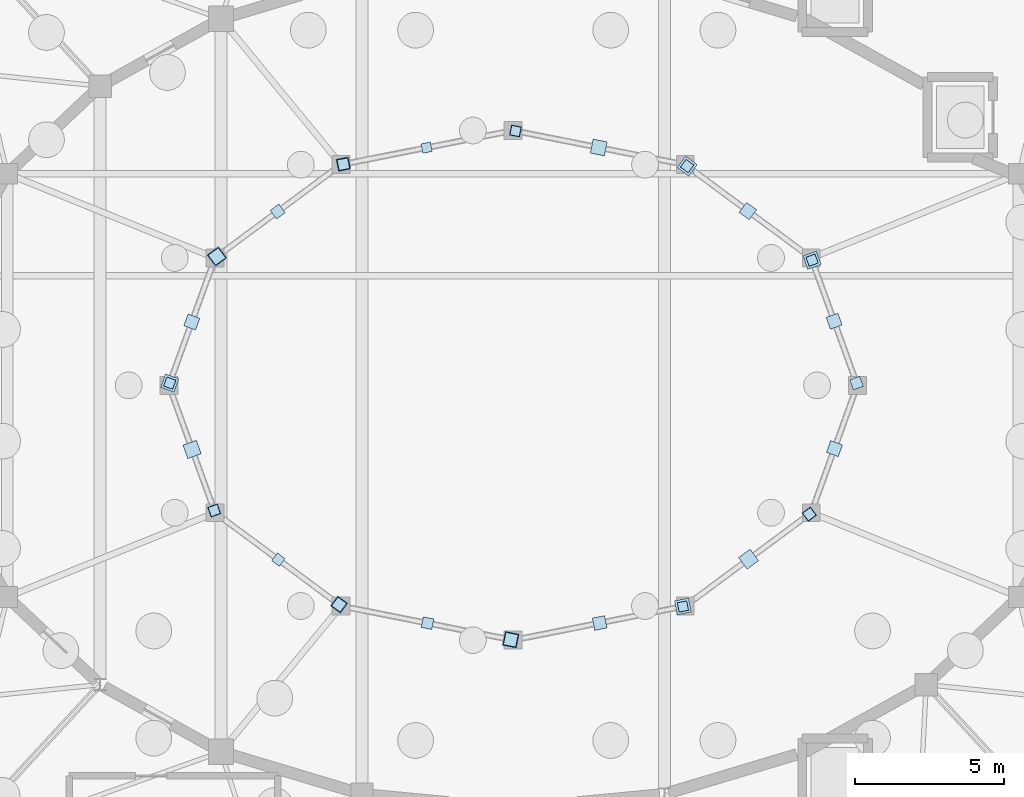
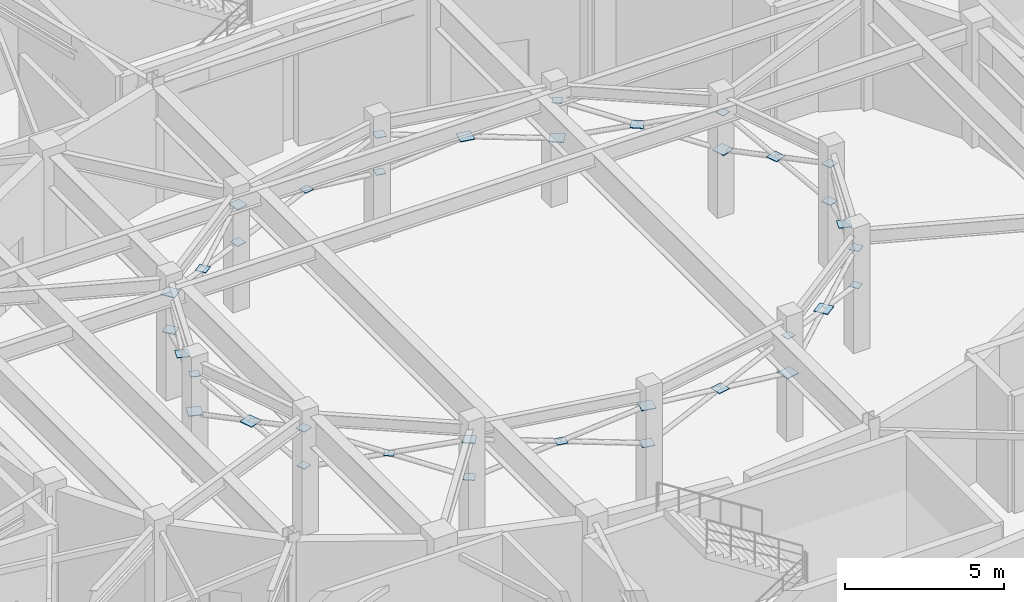
# One storey, part 35 of 68: 36 plates.
"""IFC4 building model written with IfcOpenShell, lengths in metres."""

import ifcopenshell
import ifcopenshell.guid

model = None  # the IFC model being written
_history = None  # IfcOwnerHistory: only IFC2X3 demands one
_inside = {}  # id of a spatial element -> (the spatial element, [elements in it])
_under = {}  # id of a project, library or spatial element -> (it, [spatial elements below it])
_declared = {}  # id of a project -> (the project, [libraries it declares])
_typed = {}  # id of a type object -> (the type object, [elements of that type])
_made_of = {}  # id of a material, layer set ... -> (it, [elements and type objects made of it])


def new_model(schema):
    """Start an empty IFC model of exactly this schema.

    Asked for "IFC4X3", IfcOpenShell would pick the latest addendum, in which some entities
    have other attributes; the version numbers below select the first issue.
    IFC2X3 requires an IfcOwnerHistory on every rooted entity: one is made here for all.
    """
    global model, _history
    if schema == "IFC4X3":
        model = ifcopenshell.file(schema_version=(4, 3, 0, 0))
    else:
        model = ifcopenshell.file(schema=schema)
    _inside.clear()
    _under.clear()
    _declared.clear()
    _typed.clear()
    _made_of.clear()
    _history = None
    if model.schema == "IFC2X3":
        org = make("IfcOrganization", Name="unknown")
        user = make(
            "IfcPersonAndOrganization",
            ThePerson=make("IfcPerson", FamilyName="unknown"),
            TheOrganization=org,
        )
        app = make(
            "IfcApplication",
            ApplicationDeveloper=org,
            Version="unknown",
            ApplicationFullName="unknown",
            ApplicationIdentifier="unknown",
        )
        _history = make(
            "IfcOwnerHistory",
            OwningUser=user,
            OwningApplication=app,
            ChangeAction="ADDED",
            CreationDate=0,
        )
    return model


def make(cls, **values):
    """One entity of the class cls with the attributes given. An attribute that is None is left unset."""
    return model.create_entity(
        cls, **{name: value for name, value in values.items() if value is not None}
    )


def rooted(cls, **values):
    """An entity with a GlobalId (a new one), such as an element, a storey or a relation."""
    return make(cls, GlobalId=ifcopenshell.guid.new(), OwnerHistory=_history, **values)


def si_unit(unit_type, name, prefix=None):
    """IfcSIUnit, for example si_unit("LENGTHUNIT", "METRE", prefix="MILLI")."""
    return make("IfcSIUnit", UnitType=unit_type, Prefix=prefix, Name=name)


def assignment(units):
    """IfcUnitAssignment: the units of a project."""
    return None if units is None else make("IfcUnitAssignment", Units=units)


def point(xyz):
    """IfcCartesianPoint."""
    return None if xyz is None else make("IfcCartesianPoint", Coordinates=xyz)


def direction(xyz):
    """IfcDirection."""
    return None if xyz is None else make("IfcDirection", DirectionRatios=xyz)


def frame(location, z_axis=None, x_axis=None):
    """IfcAxis2Placement3D, a coordinate frame: its origin and axes. An axis left out is left unset."""
    return make(
        "IfcAxis2Placement3D",
        Location=point(location),
        Axis=direction(z_axis),
        RefDirection=direction(x_axis),
    )


def frame_2d(location, x_axis=None):
    """IfcAxis2Placement2D, a coordinate frame in the plane: its origin and x axis."""
    return make(
        "IfcAxis2Placement2D", Location=point(location), RefDirection=direction(x_axis)
    )


def origin():
    """The frame at (0, 0, 0) with its axes left unset."""
    return frame((0.0, 0.0, 0.0))


def origin_2d():
    """The frame at (0, 0) in the plane with its x axis left unset."""
    return frame_2d((0.0, 0.0))


def place(relative_to, where):
    """IfcLocalPlacement: puts the frame where relative to a parent placement (None: the world)."""
    return make(
        "IfcLocalPlacement", PlacementRelTo=relative_to, RelativePlacement=where
    )


def context(
    kind, dimensions, precision=None, world=None, true_north=None, identifier=None
):
    """IfcGeometricRepresentationContext, for example the 3D "Model" context."""
    return make(
        "IfcGeometricRepresentationContext",
        ContextIdentifier=identifier,
        ContextType=kind,
        CoordinateSpaceDimension=dimensions,
        Precision=precision,
        WorldCoordinateSystem=world,
        TrueNorth=true_north,
    )


def subcontext(parent, identifier, kind, view, scale=None):
    """IfcGeometricRepresentationSubContext, for example "Body" below "Model"."""
    return make(
        "IfcGeometricRepresentationSubContext",
        ContextIdentifier=identifier,
        ContextType=kind,
        ParentContext=parent,
        TargetScale=scale,
        TargetView=view,
    )


def project(units=None, contexts=None):
    """IfcProject with its units and contexts."""
    return rooted(
        "IfcProject",
        Name="project",
        RepresentationContexts=contexts,
        UnitsInContext=assignment(units),
    )


def spatial(cls, under=None, at=None, **own):
    """A site, building, storey or space (cls), placed at a placement, below another one or the project."""
    s = rooted(cls, ObjectPlacement=at, **own)
    if under is not None:
        _under.setdefault(under.id(), (under, []))[1].append(s)
    return s


def profile(cls, at=None, kind="AREA", **sizes):
    """A parametric profile (cls). Its sizes go by their IFC names, for example OverallWidth=200.0."""
    return make(cls, ProfileType=kind, Position=at, **sizes)


def rectangle(**sizes):
    """IfcRectangleProfileDef."""
    return profile("IfcRectangleProfileDef", **sizes)


def extrude(swept, where, along, depth):
    """IfcExtrudedAreaSolid: the profile swept, set in the frame where, extruded along a direction by depth."""
    return make(
        "IfcExtrudedAreaSolid",
        SweptArea=swept,
        Position=where,
        ExtrudedDirection=direction(along),
        Depth=depth,
    )


def shape(context_of_items, identifier, shape_type, items):
    """IfcShapeRepresentation: the items that make up one representation, for example the "Body"."""
    return make(
        "IfcShapeRepresentation",
        ContextOfItems=context_of_items,
        RepresentationIdentifier=identifier,
        RepresentationType=shape_type,
        Items=items,
    )


def material(Name=None, Category=None):
    """IfcMaterial."""
    return make("IfcMaterial", Name=Name, Category=Category)


def layer(
    of_material, thickness, ventilated=None, Name=None, Category=None, Priority=None
):
    """IfcMaterialLayer: one layer of a wall or slab, of a material (None: an air gap)."""
    return make(
        "IfcMaterialLayer",
        Material=of_material,
        LayerThickness=thickness,
        IsVentilated=ventilated,
        Name=Name,
        Category=Category,
        Priority=Priority,
    )


def layer_set(layers, Name=None):
    """IfcMaterialLayerSet."""
    return make("IfcMaterialLayerSet", MaterialLayers=layers, LayerSetName=Name)


def made_of(thing, what):
    """Note that an element or type object is made of a material, layer set ...; save() writes the relation."""
    if what is not None:
        _made_of.setdefault(what.id(), (what, []))[1].append(thing)
    return thing


def type_object(cls, material=None, **own):
    """A type object (cls), such as IfcWallType, which elements share."""
    return made_of(rooted(cls, **own), material)


def element(
    cls,
    number,
    at=None,
    inside=None,
    cuts=None,
    type_object=None,
    material=None,
    context=None,
    identifier="Body",
    shape_type=None,
    held_by="IfcProductDefinitionShape",
    body=None,
    shapes=None,
    **own,
):
    """One element of the class cls, such as IfcWall. Its Tag is "e" and its number.

    at: its placement. inside: the storey or other place that contains it. cuts: it is an
    opening in that element (IfcRelVoidsElement). A single representation is given by context,
    identifier, shape_type and body (its items); several are given by shapes. held_by: the class
    of the entity that holds the representations. save() writes the other relations.
    """
    e = rooted(cls, Tag="e%d" % number, ObjectPlacement=at, **own)
    if body is not None:
        shapes = [shape(context, identifier, shape_type, body)]
    if shapes is not None:
        e.Representation = make(held_by, Representations=shapes)
    if inside is not None:
        _inside.setdefault(inside.id(), (inside, []))[1].append(e)
    if cuts is not None:
        rooted(
            "IfcRelVoidsElement", RelatingBuildingElement=cuts, RelatedOpeningElement=e
        )
    if type_object is not None:
        _typed.setdefault(type_object.id(), (type_object, []))[1].append(e)
    return made_of(e, material)


def aggregate(whole, parts):
    """IfcRelAggregates: a whole, such as a stair, and the parts it consists of."""
    return rooted("IfcRelAggregates", RelatingObject=whole, RelatedObjects=parts)


def save(model, path):
    """Write the relations noted so far, then the file.

    IfcRelAggregates (storeys below a building ...), IfcRelContainedInSpatialStructure (elements
    in a storey), IfcRelDefinesByType, IfcRelAssociatesMaterial and IfcRelDeclares: one each for
    every whole, place, type object, material and project.
    """
    for whole, parts in _under.values():
        aggregate(whole, parts)
    for where, things in _inside.values():
        rooted(
            "IfcRelContainedInSpatialStructure",
            RelatedElements=things,
            RelatingStructure=where,
        )
    for kind, things in _typed.values():
        rooted("IfcRelDefinesByType", RelatedObjects=things, RelatingType=kind)
    for what, things in _made_of.values():
        rooted("IfcRelAssociatesMaterial", RelatedObjects=things, RelatingMaterial=what)
    for by, libraries in _declared.values():
        rooted("IfcRelDeclares", RelatingContext=by, RelatedDefinitions=libraries)
    model.write(path)


model = new_model("IFC4")

# Units and contexts
model_context = context("Model", 3, precision=1e-05, world=origin(), true_north=direction((0.0, 1.0)))
body_context = subcontext(model_context, "Body", "Model", "MODEL_VIEW")
ifc_project = project(units=[si_unit("LENGTHUNIT", "METRE"), si_unit("AREAUNIT", "SQUARE_METRE"), si_unit("VOLUMEUNIT", "CUBIC_METRE"), si_unit("PLANEANGLEUNIT", "RADIAN"), si_unit("MASSUNIT", "GRAM", prefix="KILO")], contexts=[model_context])

# Site, building, storey
site_placement = place(None, origin())
site = spatial("IfcSite", under=ifc_project, at=site_placement, CompositionType="ELEMENT")
building_placement = place(site_placement, origin())
building = spatial("IfcBuilding", under=site, at=building_placement, Name="Cinderbank Siding Concert Hall", CompositionType="ELEMENT")
storey_placement = place(building_placement, frame((0.0, 0.0, -4.800048828125)))
storey = spatial("IfcBuildingStorey", under=building, at=storey_placement, Name="B1", CompositionType="ELEMENT", Elevation=-4.800048828125)

# Plates
ifc_material = material(Name="Structural steel welded plate section AS/NZS 3679.2 / AS/NZS 3678 Grade 350 (340 MPa)", Category="steel")
ifc_layer_1 = layer(ifc_material, 0.02490234375)
ifc_layer_set_1 = layer_set([ifc_layer_1], Name="Structural steel welded plate section AS/NZS 3679.2 / AS/NZS 3678 Grade 350 (340 MPa)")
plate_type_1 = type_object("IfcPlateType", Name="GP-01 Steel Gusset Cap Plate 480x480x25", PredefinedType="SHEET", material=ifc_layer_set_1)
for number, where, z_axis, x_axis, name in (
    (1, (132.02978515625, 48.19970703125, 2.3876953125), (0.0, 0.0, 1.0), (0.340379550213, -0.94028812701, 0.0), "B1 Steel Node Gusset Plate GP-01 #1044"),
    (2, (127.83935546875, 51.35693359375, 2.3876953125), (0.0, 0.0, 1.0), (0.803753032213, -0.59496307718, 0.0), "B1 Steel Node Gusset Plate GP-01 #1048"),
    (3, (124.873291015625, 51.97998046875, 3.10400390625), (0.0, 0.0, 1.0), (0.980887295008, -0.194576757325, 0.0), "B1 Steel Node Gusset Plate GP-01 #1052"),
    (4, (112.061767578125, 48.322509765625, 3.82763671875), (0.0, 0.0, 1.0), (-0.803753032213, -0.59496307718, 0.0), "B1 Steel Node Gusset Plate GP-01 #1056"),
    (5, (110.477294921875, 44.0751953125, 2.3876953125), (0.0, 0.0, 1.0), (0.340379550213, 0.94028812701, 0.0), "B1 Steel Node Gusset Plate GP-01 #1060"),
    (6, (111.228515625, 41.84912109375, 3.102783203125), (0.0, 0.0, 1.0), (-0.340379550213, 0.94028812701, 0.0), "B1 Steel Node Gusset Plate GP-01 #1064"),
    (7, (121.92138671875, 35.465576171875, 3.82763671875), (0.0, 0.0, 1.0), (0.980887295008, -0.194576757325, 0.0), "B1 Steel Node Gusset Plate GP-01 #1068"),
    (8, (127.696533203125, 36.579833984375, 2.3876953125), (0.0, 0.0, 1.0), (-0.980887295008, -0.194576757325, 0.0), "B1 Steel Node Gusset Plate GP-01 #1072"),
    (9, (129.900390625, 38.168701171875, 3.103515625), (0.0, 0.0, 1.0), (-0.803753032213, -0.59496307718, 0.0), "B1 Steel Node Gusset Plate GP-01 #1076"),
):
    element("IfcPlate", number, at=place(storey_placement, frame(where, z_axis=z_axis, x_axis=x_axis)), inside=storey, type_object=plate_type_1, Name=name, PredefinedType="SHEET", context=body_context, shape_type="SweptSolid", body=[
        extrude(rectangle(XDim=0.47998046875, YDim=0.47998046875, at=origin_2d()), origin(), (0.0, 0.0, 1.0), 0.02490234375),
    ])
ifc_layer_2 = layer(ifc_material, 0.02197265625)
ifc_layer_set_2 = layer_set([ifc_layer_2], Name="Structural steel welded plate section AS/NZS 3679.2 / AS/NZS 3678 Grade 350 (340 MPa)")
plate_type_2 = type_object("IfcPlateType", Name="GP-02 Steel Gusset Cap Plate 420x420x22", PredefinedType="SHEET", material=ifc_layer_set_2)
for number, where, z_axis, x_axis, name in (
    (10, (132.771484375, 46.15087890625, 3.104248046875), (0.0, 0.0, 1.0), (0.340379550213, -0.94028812701, 0.0), "B1 Steel Node Gusset Plate GP-02 #1045"),
    (11, (129.877197265625, 49.848388671875, 3.10498046875), (0.0, 0.0, 1.0), (0.803753032213, -0.59496307718, 0.0), "B1 Steel Node Gusset Plate GP-02 #1049"),
    (12, (116.303466796875, 51.420166015625, 3.8291015625), (0.0, 0.0, 1.0), (-0.980887295008, -0.194576757325, 0.0), "B1 Steel Node Gusset Plate GP-02 #1053"),
    (13, (112.061767578125, 48.322509765625, 2.38916015625), (0.0, 0.0, 1.0), (0.803753032213, 0.59496307718, 0.0), "B1 Steel Node Gusset Plate GP-02 #1057"),
    (14, (111.21875, 46.1240234375, 3.104248046875), (0.0, 0.0, 1.0), (0.340379550213, 0.94028812701, 0.0), "B1 Steel Node Gusset Plate GP-02 #1061"),
    (15, (116.16064453125, 36.64306640625, 3.8291015625), (0.0, 0.0, 1.0), (0.803753032213, -0.59496307718, 0.0), "B1 Steel Node Gusset Plate GP-02 #1065"),
    (16, (121.92138671875, 35.465576171875, 2.38916015625), (0.0, 0.0, 1.0), (-0.980887295008, 0.194576757325, 0.0), "B1 Steel Node Gusset Plate GP-02 #1069"),
    (17, (124.90185546875, 36.025634765625, 3.10546875), (0.0, 0.0, 1.0), (-0.980887295008, -0.194576757325, 0.0), "B1 Steel Node Gusset Plate GP-02 #1073"),
    (18, (132.78125, 41.8759765625, 3.104248046875), (0.0, 0.0, 1.0), (-0.340379550213, -0.94028812701, 0.0), "B1 Steel Node Gusset Plate GP-02 #1077"),
):
    element("IfcPlate", number, at=place(storey_placement, frame(where, z_axis=z_axis, x_axis=x_axis)), inside=storey, type_object=plate_type_2, Name=name, PredefinedType="SHEET", context=body_context, shape_type="SweptSolid", body=[
        extrude(rectangle(XDim=0.419921875, YDim=0.419921875, at=origin_2d()), origin(), (0.0, 0.0, 1.0), 0.02197265625),
    ])
ifc_layer_3 = layer(ifc_material, 0.02001953125)
ifc_layer_set_3 = layer_set([ifc_layer_3], Name="Structural steel welded plate section AS/NZS 3679.2 / AS/NZS 3678 Grade 350 (340 MPa)")
plate_type_3 = type_object("IfcPlateType", Name="GP-03 Steel Gusset Cap Plate 360x360x20", PredefinedType="SHEET", material=ifc_layer_set_3)
for number, where, z_axis, x_axis, name in (
    (19, (133.522705078125, 44.0751953125, 2.39013671875), (0.0, 0.0, 1.0), (-0.340379550213, 0.94028812701, 0.0), "B1 Steel Node Gusset Plate GP-03 #1042"),
    (20, (133.522705078125, 44.0751953125, 3.830078125), (0.0, 0.0, 1.0), (0.340379550213, -0.94028812701, 0.0), "B1 Steel Node Gusset Plate GP-03 #1046"),
    (21, (122.07861328125, 52.534423828125, 3.830078125), (0.0, 0.0, 1.0), (-0.980887295008, 0.194576757325, 0.0), "B1 Steel Node Gusset Plate GP-03 #1050"),
    (22, (116.303466796875, 51.420166015625, 2.39013671875), (0.0, 0.0, 1.0), (0.980887295008, 0.194576757325, 0.0), "B1 Steel Node Gusset Plate GP-03 #1054"),
    (23, (114.099609375, 49.831298828125, 3.10595703125), (0.0, 0.0, 1.0), (0.803753032213, 0.59496307718, 0.0), "B1 Steel Node Gusset Plate GP-03 #1058"),
    (24, (111.97021484375, 39.80029296875, 3.830078125), (0.0, 0.0, 1.0), (0.340379550213, -0.94028812701, 0.0), "B1 Steel Node Gusset Plate GP-03 #1062"),
    (25, (116.16064453125, 36.64306640625, 2.39013671875), (0.0, 0.0, 1.0), (-0.803753032213, 0.59496307718, 0.0), "B1 Steel Node Gusset Plate GP-03 #1066"),
    (26, (119.126708984375, 36.02001953125, 3.1064453125), (0.0, 0.0, 1.0), (-0.980887295008, 0.194576757325, 0.0), "B1 Steel Node Gusset Plate GP-03 #1070"),
    (27, (131.938232421875, 39.677490234375, 3.830078125), (0.0, 0.0, 1.0), (0.803753032213, 0.59496307718, 0.0), "B1 Steel Node Gusset Plate GP-03 #1074"),
):
    element("IfcPlate", number, at=place(storey_placement, frame(where, z_axis=z_axis, x_axis=x_axis)), inside=storey, type_object=plate_type_3, Name=name, PredefinedType="SHEET", context=body_context, shape_type="SweptSolid", body=[
        extrude(rectangle(XDim=0.360107421875, YDim=0.360107421875, at=origin_2d()), origin(), (0.0, 0.0, 1.0), 0.02001953125),
    ])
ifc_layer_4 = layer(ifc_material, 0.02099609375)
ifc_layer_set_4 = layer_set([ifc_layer_4], Name="Structural steel welded plate section AS/NZS 3679.2 / AS/NZS 3678 Grade 350 (340 MPa)")
plate_type_4 = type_object("IfcPlateType", Name="GP-04 Steel Gusset Cap Plate 320x320x21", PredefinedType="SHEET", material=ifc_layer_set_4)
for number, where, z_axis, x_axis, name in (
    (28, (132.02978515625, 48.19970703125, 3.82958984375), (0.0, 0.0, 1.0), (-0.340379550213, 0.94028812701, 0.0), "B1 Steel Node Gusset Plate GP-04 #1043"),
    (29, (127.83935546875, 51.35693359375, 3.82958984375), (0.0, 0.0, 1.0), (-0.803753032213, 0.59496307718, 0.0), "B1 Steel Node Gusset Plate GP-04 #1047"),
    (30, (122.07861328125, 52.534423828125, 2.3896484375), (0.0, 0.0, 1.0), (0.980887295008, -0.194576757325, 0.0), "B1 Steel Node Gusset Plate GP-04 #1051"),
    (31, (119.09814453125, 51.974365234375, 3.10595703125), (0.0, 0.0, 1.0), (0.980887295008, 0.194576757325, 0.0), "B1 Steel Node Gusset Plate GP-04 #1055"),
    (32, (110.477294921875, 44.0751953125, 3.82958984375), (0.0, 0.0, 1.0), (-0.340379550213, -0.94028812701, 0.0), "B1 Steel Node Gusset Plate GP-04 #1059"),
    (33, (111.97021484375, 39.80029296875, 2.3896484375), (0.0, 0.0, 1.0), (-0.340379550213, 0.94028812701, 0.0), "B1 Steel Node Gusset Plate GP-04 #1063"),
    (34, (114.122802734375, 38.151611328125, 3.10546875), (0.0, 0.0, 1.0), (-0.803753032213, 0.59496307718, 0.0), "B1 Steel Node Gusset Plate GP-04 #1067"),
    (35, (127.696533203125, 36.579833984375, 3.82958984375), (0.0, 0.0, 1.0), (0.980887295008, 0.194576757325, 0.0), "B1 Steel Node Gusset Plate GP-04 #1071"),
    (36, (131.938232421875, 39.677490234375, 2.3896484375), (0.0, 0.0, 1.0), (-0.803753032213, -0.59496307718, 0.0), "B1 Steel Node Gusset Plate GP-04 #1075"),
):
    element("IfcPlate", number, at=place(storey_placement, frame(where, z_axis=z_axis, x_axis=x_axis)), inside=storey, type_object=plate_type_4, Name=name, PredefinedType="SHEET", context=body_context, shape_type="SweptSolid", body=[
        extrude(rectangle(XDim=0.320068359375, YDim=0.320068359375, at=origin_2d()), origin(), (0.0, 0.0, 1.0), 0.02099609375),
    ])

save(model, "model.ifc")
